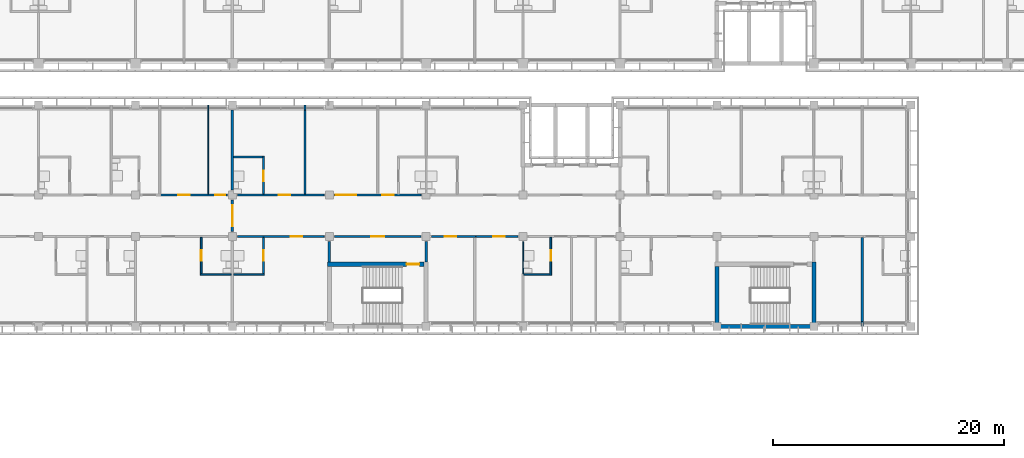
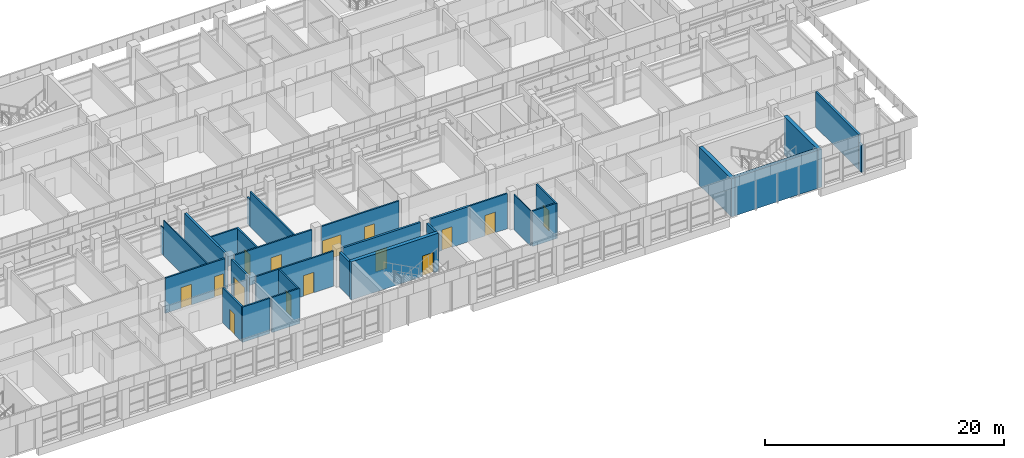
# One storey, part 35 of 74: 30 walls, 15 doors, 15 openings.
"""IFC4 building model written with IfcOpenShell, lengths in metres."""

from ifc_helpers import new_model, si_unit, direction, frame, frame_2d, origin, place, context, subcontext, project, spatial, rectangle, extrude, material, layer, layer_set, type_object, element, fill, save


model = new_model("IFC4")

# Units and contexts
model_context = context("Model", 3, precision=1e-05, world=origin(), true_north=direction((0.0, 1.0)))
body_context = subcontext(model_context, "Body", "Model", "MODEL_VIEW")
ifc_project = project(units=[si_unit("LENGTHUNIT", "METRE"), si_unit("AREAUNIT", "SQUARE_METRE"), si_unit("VOLUMEUNIT", "CUBIC_METRE"), si_unit("PLANEANGLEUNIT", "RADIAN"), si_unit("MASSUNIT", "GRAM", prefix="KILO")], contexts=[model_context])

# Site, building, storey
site_placement = place(None, origin())
site = spatial("IfcSite", under=ifc_project, at=site_placement, CompositionType="ELEMENT")
building_placement = place(site_placement, origin())
building = spatial("IfcBuilding", under=site, at=building_placement, Name="Bougainvillea Quay General Hospital", CompositionType="ELEMENT")
storey_placement = place(building_placement, frame((0.0, 0.0, 21.0)))
storey = spatial("IfcBuildingStorey", under=building, at=storey_placement, Name="L04", CompositionType="ELEMENT", Elevation=21.0)

# Walls
ifc_material_1 = material(Name="Gypsum board partition on steel studs", Category="steel")
ifc_layer_1 = layer(ifc_material_1, 0.10009765625)
ifc_layer_set_1 = layer_set([ifc_layer_1], Name="Gypsum board partition on steel studs")
wall_type_1 = type_object("IfcWallType", Name="Partition 100 Gypsum board partition", PredefinedType="PARTITIONING", material=ifc_layer_set_1)
wall_1_placement = place(storey_placement, frame((107.10009765625, 129.074951171875, 0.0), z_axis=(0.0, 0.0, 1.0), x_axis=(0.0, 1.0, 0.0)))
element("IfcWall", 1, at=wall_1_placement, inside=storey, type_object=wall_type_1, Name="Partition 100 mm", PredefinedType="PARTITIONING", context=body_context, shape_type="SweptSolid", body=[
    extrude(rectangle(XDim=7.275146484375, YDim=0.10009765625, at=frame_2d((3.6376953125, 0.0))), origin(), (0.0, 0.0, 1.0), 3.60009765625),
])
wall_2_placement = place(storey_placement, frame((107.10009765625, 136.35009765625, 0.0), z_axis=(0.0, 0.0, 1.0), x_axis=(0.0, 1.0, 0.0)))
element("IfcWall", 2, at=wall_2_placement, inside=storey, type_object=wall_type_1, Name="Partition 100 mm", PredefinedType="PARTITIONING", context=body_context, shape_type="SweptSolid", body=[
    extrude(rectangle(XDim=0.449951171875, YDim=0.10009765625, at=frame_2d((0.22509765625, 0.0))), origin(), (0.0, 0.0, 1.0), 2.780029296875),
])
wall_3_placement = place(storey_placement, frame((134.39990234375, 122.175048828125, 0.0), z_axis=(0.0, 0.0, 1.0), x_axis=(0.0, 1.0, 0.0)))
element("IfcWall", 3, at=wall_3_placement, inside=storey, type_object=wall_type_1, Name="Partition 100 mm", PredefinedType="PARTITIONING", context=body_context, shape_type="SweptSolid", body=[
    extrude(rectangle(XDim=2.77490234375, YDim=0.10009765625, at=frame_2d((1.387451171875, 0.0))), origin(), (0.0, 0.0, 1.0), 3.60009765625),
])
ifc_material_2 = material(Name="Gypsum board partition on steel studs, insulated", Category="steel")
ifc_layer_2 = layer(ifc_material_2, 0.14990234375)
ifc_layer_set_2 = layer_set([ifc_layer_2], Name="Gypsum board partition on steel studs, insulated")
wall_type_2 = type_object("IfcWallType", Name="Partition 150 Gypsum board partition", PredefinedType="PARTITIONING", material=ifc_layer_set_2)
wall_4_placement = place(storey_placement, frame((115.5, 129.074951171875, 0.0), z_axis=(0.0, 0.0, 1.0), x_axis=(0.0, 1.0, 0.0)))
element("IfcWall", 4, at=wall_4_placement, inside=storey, type_object=wall_type_2, Name="Partition 150 mm", PredefinedType="PARTITIONING", context=body_context, shape_type="SweptSolid", body=[
    extrude(rectangle(XDim=7.275146484375, YDim=0.14990234375, at=frame_2d((3.6376953125, 0.0))), origin(), (0.0, 0.0, 1.0), 3.60009765625),
])
wall_5_placement = place(storey_placement, frame((115.5, 136.35009765625, 0.0), z_axis=(0.0, 0.0, 1.0), x_axis=(0.0, 1.0, 0.0)))
element("IfcWall", 5, at=wall_5_placement, inside=storey, type_object=wall_type_2, Name="Partition 150 mm", PredefinedType="PARTITIONING", context=body_context, shape_type="SweptSolid", body=[
    extrude(rectangle(XDim=0.449951171875, YDim=0.14990234375, at=frame_2d((0.22509765625, 0.0))), origin(), (0.0, 0.0, 1.0), 2.780029296875),
])
for number, where, z_axis, x_axis, name in (
    (6, (106.425048828125, 122.10009765625, 0.0), (0.0, 0.0, 1.0), (1.0, 0.0, 0.0), "Partition 150 mm"),
    (7, (109.300048828125, 122.10009765625, 0.0), (0.0, 0.0, 1.0), (1.0, 0.0, 0.0), "Partition 150 mm"),
):
    element("IfcWall", number, at=place(storey_placement, frame(where, z_axis=z_axis, x_axis=x_axis)), inside=storey, type_object=wall_type_2, Name=name, PredefinedType="PARTITIONING", context=body_context, shape_type="SweptSolid", body=[
        extrude(rectangle(XDim=2.675048828125, YDim=0.14990234375, at=frame_2d((1.33740234375, 0.0))), origin(), (0.0, 0.0, 1.0), 3.60009765625),
    ])

# Wall, opening, door
wall_6_placement = place(storey_placement, frame((106.5, 122.175048828125, 0.0), z_axis=(0.0, 0.0, 1.0), x_axis=(0.0, 1.0, 0.0)))
wall_6 = element("IfcWall", 8, at=wall_6_placement, inside=storey, type_object=wall_type_2, Name="Partition 150 mm", PredefinedType="PARTITIONING", context=body_context, shape_type="SweptSolid", body=[
    extrude(rectangle(XDim=3.14990234375, YDim=0.14990234375, at=frame_2d((1.574951171875, 0.0))), origin(), (0.0, 0.0, 1.0), 3.60009765625),
])
opening_1_placement = place(wall_6_placement, frame((1.125, 0.0, 0.0)))
opening_1 = element("IfcOpeningElement", 9, at=opening_1_placement, cuts=wall_6, Name="Opening L04.107", PredefinedType="OPENING", context=body_context, shape_type="SweptSolid", body=[
    extrude(rectangle(XDim=0.89990234375, YDim=2.10009765625, at=frame_2d((0.449951171875, 1.050048828125))), frame((0.0, 0.0849609375, 0.0), z_axis=(0.0, -1.0, 0.0), x_axis=(1.0, 0.0, 0.0)), (0.0, 0.0, 1.0), 0.169921875),
])
ifc_material_3 = material(Name="Solid-core timber door leaf in steel frame", Category="steel")
door_type_1 = type_object("IfcDoorType", Name="Single leaf door 900x2100", OperationType="NOTDEFINED", PredefinedType="DOOR", material=ifc_material_3)
door_1_placement = place(opening_1_placement, frame((0.89990234375, 0.0, 0.0), z_axis=(0.0, 0.0, 1.0), x_axis=(-1.0, 0.0, 0.0)))
door_1 = element("IfcDoor", 10, at=door_1_placement, inside=storey, type_object=door_type_1, Name="DT07 L04.107", OperationType="SINGLE_SWING_LEFT", OverallHeight=2.10009765625, OverallWidth=0.89990234375, PredefinedType="DOOR", context=body_context, shape_type="SweptSolid", body=[
    extrude(rectangle(XDim=0.89990234375, YDim=2.10009765625, at=frame_2d((0.449951171875, 1.050048828125))), frame((0.0, 0.02490234375, 0.0), z_axis=(0.0, -1.0, 0.0), x_axis=(1.0, 0.0, 0.0)), (0.0, 0.0, 1.0), 0.050048828125),
])
fill(opening_1, door_1)

wall_7_placement = place(storey_placement, frame((111.89990234375, 122.175048828125, 0.0), z_axis=(0.0, 0.0, 1.0), x_axis=(0.0, 1.0, 0.0)))
wall_7 = element("IfcWall", 11, at=wall_7_placement, inside=storey, type_object=wall_type_2, Name="Partition 150 mm", PredefinedType="PARTITIONING", context=body_context, shape_type="SweptSolid", body=[
    extrude(rectangle(XDim=3.14990234375, YDim=0.14990234375, at=frame_2d((1.574951171875, 0.0))), origin(), (0.0, 0.0, 1.0), 3.60009765625),
])
opening_2_placement = place(wall_7_placement, frame((1.125, 0.0, 0.0)))
opening_2 = element("IfcOpeningElement", 12, at=opening_2_placement, cuts=wall_7, Name="Opening L04.109", PredefinedType="OPENING", context=body_context, shape_type="SweptSolid", body=[
    extrude(rectangle(XDim=0.89990234375, YDim=2.10009765625, at=frame_2d((0.449951171875, 1.050048828125))), frame((0.0, 0.0849609375, 0.0), z_axis=(0.0, -1.0, 0.0), x_axis=(1.0, 0.0, 0.0)), (0.0, 0.0, 1.0), 0.169921875),
])
door_2_placement = place(opening_2_placement, origin())
door_2 = element("IfcDoor", 13, at=door_2_placement, inside=storey, type_object=door_type_1, Name="DT07 L04.109", OperationType="SINGLE_SWING_RIGHT", OverallHeight=2.10009765625, OverallWidth=0.89990234375, PredefinedType="DOOR", context=body_context, shape_type="SweptSolid", body=[
    extrude(rectangle(XDim=0.89990234375, YDim=2.10009765625, at=frame_2d((0.449951171875, 1.050048828125))), frame((0.0, 0.02490234375, 0.0), z_axis=(0.0, -1.0, 0.0), x_axis=(1.0, 0.0, 0.0)), (0.0, 0.0, 1.0), 0.050048828125),
])
fill(opening_2, door_2)

wall_8_placement = place(storey_placement, frame((111.89990234375, 129.074951171875, 0.0), z_axis=(0.0, 0.0, 1.0), x_axis=(0.0, 1.0, 0.0)))
wall_8 = element("IfcWall", 14, at=wall_8_placement, inside=storey, type_object=wall_type_2, Name="Partition 150 mm", PredefinedType="PARTITIONING", context=body_context, shape_type="SweptSolid", body=[
    extrude(rectangle(XDim=3.300048828125, YDim=0.14990234375, at=frame_2d((1.64990234375, 0.0))), origin(), (0.0, 0.0, 1.0), 3.60009765625),
])
opening_3_placement = place(wall_8_placement, frame((1.125, 0.0, 0.0)))
opening_3 = element("IfcOpeningElement", 15, at=opening_3_placement, cuts=wall_8, Name="Opening L04.111", PredefinedType="OPENING", context=body_context, shape_type="SweptSolid", body=[
    extrude(rectangle(XDim=0.89990234375, YDim=2.10009765625, at=frame_2d((0.449951171875, 1.050048828125))), frame((0.0, 0.0849609375, 0.0), z_axis=(0.0, -1.0, 0.0), x_axis=(1.0, 0.0, 0.0)), (0.0, 0.0, 1.0), 0.169921875),
])
door_3_placement = place(opening_3_placement, origin())
door_3 = element("IfcDoor", 16, at=door_3_placement, inside=storey, type_object=door_type_1, Name="DT07 L04.111", OperationType="SINGLE_SWING_LEFT", OverallHeight=2.10009765625, OverallWidth=0.89990234375, PredefinedType="DOOR", context=body_context, shape_type="SweptSolid", body=[
    extrude(rectangle(XDim=0.89990234375, YDim=2.10009765625, at=frame_2d((0.449951171875, 1.050048828125))), frame((0.0, 0.02490234375, 0.0), z_axis=(0.0, -1.0, 0.0), x_axis=(1.0, 0.0, 0.0)), (0.0, 0.0, 1.0), 0.050048828125),
])
fill(opening_3, door_3)

wall_9_placement = place(storey_placement, frame((136.800048828125, 122.02490234375, 0.0), z_axis=(0.0, 0.0, 1.0), x_axis=(0.0, 1.0, 0.0)))
wall_9 = element("IfcWall", 17, at=wall_9_placement, inside=storey, type_object=wall_type_2, Name="Partition 150 mm", PredefinedType="PARTITIONING", context=body_context, shape_type="SweptSolid", body=[
    extrude(rectangle(XDim=3.300048828125, YDim=0.14990234375, at=frame_2d((1.64990234375, 0.0))), origin(), (0.0, 0.0, 1.0), 3.60009765625),
])
opening_4_placement = place(wall_9_placement, frame((1.27490234375, 0.0, 0.0)))
opening_4 = element("IfcOpeningElement", 18, at=opening_4_placement, cuts=wall_9, Name="Opening L04.119", PredefinedType="OPENING", context=body_context, shape_type="SweptSolid", body=[
    extrude(rectangle(XDim=0.89990234375, YDim=2.10009765625, at=frame_2d((0.449951171875, 1.050048828125))), frame((0.0, 0.0849609375, 0.0), z_axis=(0.0, -1.0, 0.0), x_axis=(1.0, 0.0, 0.0)), (0.0, 0.0, 1.0), 0.169921875),
])
door_4_placement = place(opening_4_placement, origin())
door_4 = element("IfcDoor", 19, at=door_4_placement, inside=storey, type_object=door_type_1, Name="DT07 L04.119", OperationType="SINGLE_SWING_RIGHT", OverallHeight=2.10009765625, OverallWidth=0.89990234375, PredefinedType="DOOR", context=body_context, shape_type="SweptSolid", body=[
    extrude(rectangle(XDim=0.89990234375, YDim=2.10009765625, at=frame_2d((0.449951171875, 1.050048828125))), frame((0.0, 0.02490234375, 0.0), z_axis=(0.0, -1.0, 0.0), x_axis=(1.0, 0.0, 0.0)), (0.0, 0.0, 1.0), 0.050048828125),
])
fill(opening_4, door_4)

# Walls
wall_10_placement = place(storey_placement, frame((109.300048828125, 132.300048828125, 0.0), z_axis=(0.0, 0.0, 1.0), x_axis=(1.0, 0.0, 0.0)))
element("IfcWall", 20, at=wall_10_placement, inside=storey, type_object=wall_type_2, Name="Partition 150 mm", PredefinedType="PARTITIONING", context=body_context, shape_type="SweptSolid", body=[
    extrude(rectangle(XDim=2.52490234375, YDim=0.14990234375, at=frame_2d((1.262451171875, 0.0))), origin(), (0.0, 0.0, 1.0), 3.60009765625),
])
wall_11_placement = place(storey_placement, frame((134.47509765625, 122.10009765625, 0.0), z_axis=(0.0, 0.0, 1.0), x_axis=(1.0, 0.0, 0.0)))
element("IfcWall", 21, at=wall_11_placement, inside=storey, type_object=wall_type_2, Name="Partition 150 mm", PredefinedType="PARTITIONING", context=body_context, shape_type="SweptSolid", body=[
    extrude(rectangle(XDim=2.25, YDim=0.14990234375, at=frame_2d((1.125, 0.0))), origin(), (0.0, 0.0, 1.0), 3.60009765625),
])

# Wall, opening, door
ifc_layer_3 = layer(ifc_material_2, 0.14990234375)
ifc_layer_set_3 = layer_set([ifc_layer_3], Name="Gypsum board partition on steel studs, insulated")
wall_type_3 = type_object("IfcWallType", Name="Partition 150 Gypsum board partition EI 30", PredefinedType="PARTITIONING", material=ifc_layer_set_3)
wall_12_placement = place(storey_placement, frame((117.14990234375, 125.39990234375, 0.0), z_axis=(0.0, 0.0, 1.0), x_axis=(-1.0, 0.0, 0.0)))
wall_12 = element("IfcWall", 22, at=wall_12_placement, inside=storey, type_object=wall_type_3, Name="Partition 150 mm EI 30", PredefinedType="PARTITIONING", context=body_context, shape_type="SweptSolid", body=[
    extrude(rectangle(XDim=7.5, YDim=0.14990234375, at=frame_2d((3.75, 0.0))), origin(), (0.0, 0.0, 1.0), 3.60009765625),
])
opening_5_placement = place(wall_12_placement, frame((1.89990234375, 0.0, 0.0)))
opening_5 = element("IfcOpeningElement", 23, at=opening_5_placement, cuts=wall_12, Name="Opening L04.108", PredefinedType="OPENING", context=body_context, shape_type="SweptSolid", body=[
    extrude(rectangle(XDim=1.0, YDim=2.10009765625, at=frame_2d((0.5, 1.050048828125))), frame((0.0, 0.0849609375, 0.0), z_axis=(0.0, -1.0, 0.0), x_axis=(1.0, 0.0, 0.0)), (0.0, 0.0, 1.0), 0.169921875),
])
door_type_2 = type_object("IfcDoorType", Name="Single leaf door 1000x2100 FD30S", OperationType="NOTDEFINED", PredefinedType="DOOR", material=ifc_material_3)
door_5_placement = place(opening_5_placement, origin())
door_5 = element("IfcDoor", 24, at=door_5_placement, inside=storey, type_object=door_type_2, Name="DT15 L04.108", OperationType="SINGLE_SWING_LEFT", OverallHeight=2.10009765625, OverallWidth=1.0, PredefinedType="DOOR", context=body_context, shape_type="SweptSolid", body=[
    extrude(rectangle(XDim=1.0, YDim=2.10009765625, at=frame_2d((0.5, 1.050048828125))), frame((0.0, 0.02490234375, 0.0), z_axis=(0.0, -1.0, 0.0), x_axis=(1.0, 0.0, 0.0)), (0.0, 0.0, 1.0), 0.050048828125),
])
fill(opening_5, door_5)

# Wall, openings, doors
wall_13_placement = place(storey_placement, frame((125.550048828125, 129.0, 0.0), z_axis=(0.0, 0.0, 1.0), x_axis=(-1.0, 0.0, 0.0)))
wall_13 = element("IfcWall", 25, at=wall_13_placement, inside=storey, type_object=wall_type_3, Name="Partition 150 mm EI 30", PredefinedType="PARTITIONING", context=body_context, shape_type="SweptSolid", body=[
    extrude(rectangle(XDim=7.5, YDim=0.14990234375, at=frame_2d((3.75, 0.0))), origin(), (0.0, 0.0, 1.0), 3.60009765625),
])
opening_6_placement = place(wall_13_placement, frame((5.60009765625, 0.0, 0.0)))
opening_6 = element("IfcOpeningElement", 26, at=opening_6_placement, cuts=wall_13, Name="Opening L04.112", PredefinedType="OPENING", context=body_context, shape_type="SweptSolid", body=[
    extrude(rectangle(XDim=1.800048828125, YDim=2.10009765625, at=frame_2d((0.89990234375, 1.050048828125))), frame((0.0, 0.0849609375, 0.0), z_axis=(0.0, -1.0, 0.0), x_axis=(1.0, 0.0, 0.0)), (0.0, 0.0, 1.0), 0.169921875),
])
opening_7_placement = place(wall_13_placement, frame((2.35009765625, 0.0, 0.0)))
opening_7 = element("IfcOpeningElement", 27, at=opening_7_placement, cuts=wall_13, Name="Opening L04.113", PredefinedType="OPENING", context=body_context, shape_type="SweptSolid", body=[
    extrude(rectangle(XDim=1.0, YDim=2.10009765625, at=frame_2d((0.5, 1.050048828125))), frame((0.0, 0.0849609375, 0.0), z_axis=(0.0, -1.0, 0.0), x_axis=(1.0, 0.0, 0.0)), (0.0, 0.0, 1.0), 0.169921875),
])
ifc_material_4 = material(Name="Solid-core timber door leaves in steel frame", Category="steel")
door_type_3 = type_object("IfcDoorType", Name="Double leaf door 1800x2100 FD30S", OperationType="DOUBLE_DOOR_SINGLE_SWING", PredefinedType="DOOR", material=ifc_material_4)
door_6_placement = place(opening_6_placement, frame((1.800048828125, 0.0, 0.0), z_axis=(0.0, 0.0, 1.0), x_axis=(-1.0, 0.0, 0.0)))
door_6 = element("IfcDoor", 28, at=door_6_placement, inside=storey, type_object=door_type_3, Name="DT17 L04.112", OperationType="DOUBLE_DOOR_SINGLE_SWING", OverallHeight=2.10009765625, OverallWidth=1.800048828125, PredefinedType="DOOR", context=body_context, shape_type="SweptSolid", body=[
    extrude(rectangle(XDim=1.800048828125, YDim=2.10009765625, at=frame_2d((0.89990234375, 1.050048828125))), frame((0.0, 0.02490234375, 0.0), z_axis=(0.0, -1.0, 0.0), x_axis=(1.0, 0.0, 0.0)), (0.0, 0.0, 1.0), 0.050048828125),
])
fill(opening_6, door_6)
door_7_placement = place(opening_7_placement, frame((1.0, 0.0, 0.0), z_axis=(0.0, 0.0, 1.0), x_axis=(-1.0, 0.0, 0.0)))
door_7 = element("IfcDoor", 29, at=door_7_placement, inside=storey, type_object=door_type_2, Name="DT15 L04.113", OperationType="SINGLE_SWING_RIGHT", OverallHeight=2.10009765625, OverallWidth=1.0, PredefinedType="DOOR", context=body_context, shape_type="SweptSolid", body=[
    extrude(rectangle(XDim=1.0, YDim=2.10009765625, at=frame_2d((0.5, 1.050048828125))), frame((0.0, 0.02490234375, 0.0), z_axis=(0.0, -1.0, 0.0), x_axis=(1.0, 0.0, 0.0)), (0.0, 0.0, 1.0), 0.050048828125),
])
fill(opening_7, door_7)

# Wall, opening, door
wall_14_placement = place(storey_placement, frame((117.14990234375, 129.0, 0.0), z_axis=(0.0, 0.0, 1.0), x_axis=(-1.0, 0.0, 0.0)))
wall_14 = element("IfcWall", 30, at=wall_14_placement, inside=storey, type_object=wall_type_3, Name="Partition 150 mm EI 30", PredefinedType="PARTITIONING", context=body_context, shape_type="SweptSolid", body=[
    extrude(rectangle(XDim=7.5, YDim=0.14990234375, at=frame_2d((3.75, 0.0))), origin(), (0.0, 0.0, 1.0), 3.60009765625),
])
opening_8_placement = place(wall_14_placement, frame((2.949951171875, 0.0, 0.0)))
opening_8 = element("IfcOpeningElement", 31, at=opening_8_placement, cuts=wall_14, Name="Opening L04.110", PredefinedType="OPENING", context=body_context, shape_type="SweptSolid", body=[
    extrude(rectangle(XDim=1.0, YDim=2.10009765625, at=frame_2d((0.5, 1.050048828125))), frame((0.0, 0.0849609375, 0.0), z_axis=(0.0, -1.0, 0.0), x_axis=(1.0, 0.0, 0.0)), (0.0, 0.0, 1.0), 0.169921875),
])
door_8_placement = place(opening_8_placement, frame((1.0, 0.0, 0.0), z_axis=(0.0, 0.0, 1.0), x_axis=(-1.0, 0.0, 0.0)))
door_8 = element("IfcDoor", 32, at=door_8_placement, inside=storey, type_object=door_type_2, Name="DT15 L04.110", OperationType="SINGLE_SWING_RIGHT", OverallHeight=2.10009765625, OverallWidth=1.0, PredefinedType="DOOR", context=body_context, shape_type="SweptSolid", body=[
    extrude(rectangle(XDim=1.0, YDim=2.10009765625, at=frame_2d((0.5, 1.050048828125))), frame((0.0, 0.02490234375, 0.0), z_axis=(0.0, -1.0, 0.0), x_axis=(1.0, 0.0, 0.0)), (0.0, 0.0, 1.0), 0.050048828125),
])
fill(opening_8, door_8)

# Wall, openings, doors
ifc_layer_4 = layer(ifc_material_2, 0.14990234375)
ifc_layer_set_4 = layer_set([ifc_layer_4], Name="Gypsum board partition on steel studs, insulated")
wall_type_4 = type_object("IfcWallType", Name="Partition 150 Gypsum board partition EI 60", PredefinedType="PARTITIONING", material=ifc_layer_set_4)
wall_15_placement = place(storey_placement, frame((102.97509765625, 129.0, 0.0), z_axis=(0.0, 0.0, 1.0), x_axis=(1.0, 0.0, 0.0)))
wall_15 = element("IfcWall", 33, at=wall_15_placement, inside=storey, type_object=wall_type_4, Name="Partition 150 mm EI 60", PredefinedType="PARTITIONING", context=body_context, shape_type="SweptSolid", body=[
    extrude(rectangle(XDim=5.77490234375, YDim=0.14990234375, at=frame_2d((2.887451171875, 0.0))), origin(), (0.0, 0.0, 1.0), 3.60009765625),
])
opening_9_placement = place(wall_15_placement, frame((1.52490234375, 0.0, 0.0)))
opening_9 = element("IfcOpeningElement", 34, at=opening_9_placement, cuts=wall_15, Name="Opening L04.100", PredefinedType="OPENING", context=body_context, shape_type="SweptSolid", body=[
    extrude(rectangle(XDim=1.0, YDim=2.10009765625, at=frame_2d((0.5, 1.050048828125))), frame((0.0, 0.0849609375, 0.0), z_axis=(0.0, -1.0, 0.0), x_axis=(1.0, 0.0, 0.0)), (0.0, 0.0, 1.0), 0.169921875),
])
opening_10_placement = place(wall_15_placement, frame((4.72509765625, 0.0, 0.0)))
opening_10 = element("IfcOpeningElement", 35, at=opening_10_placement, cuts=wall_15, Name="Opening L04.101", PredefinedType="OPENING", context=body_context, shape_type="SweptSolid", body=[
    extrude(rectangle(XDim=0.89990234375, YDim=2.10009765625, at=frame_2d((0.449951171875, 1.050048828125))), frame((0.0, 0.0849609375, 0.0), z_axis=(0.0, -1.0, 0.0), x_axis=(1.0, 0.0, 0.0)), (0.0, 0.0, 1.0), 0.169921875),
])
door_type_4 = type_object("IfcDoorType", Name="Single leaf door 1000x2100 FD60", OperationType="NOTDEFINED", PredefinedType="DOOR", material=ifc_material_3)
door_9_placement = place(opening_9_placement, origin())
door_9 = element("IfcDoor", 36, at=door_9_placement, inside=storey, type_object=door_type_4, Name="DT14 L04.100", OperationType="SINGLE_SWING_LEFT", OverallHeight=2.10009765625, OverallWidth=1.0, PredefinedType="DOOR", context=body_context, shape_type="SweptSolid", body=[
    extrude(rectangle(XDim=1.0, YDim=2.10009765625, at=frame_2d((0.5, 1.050048828125))), frame((0.0, 0.02490234375, 0.0), z_axis=(0.0, -1.0, 0.0), x_axis=(1.0, 0.0, 0.0)), (0.0, 0.0, 1.0), 0.050048828125),
])
fill(opening_9, door_9)
door_type_5 = type_object("IfcDoorType", Name="Single leaf door 900x2100 FD60", OperationType="NOTDEFINED", PredefinedType="DOOR", material=ifc_material_3)
door_10_placement = place(opening_10_placement, origin())
door_10 = element("IfcDoor", 37, at=door_10_placement, inside=storey, type_object=door_type_5, Name="DT18 L04.101", OperationType="SINGLE_SWING_RIGHT", OverallHeight=2.10009765625, OverallWidth=0.89990234375, PredefinedType="DOOR", context=body_context, shape_type="SweptSolid", body=[
    extrude(rectangle(XDim=0.89990234375, YDim=2.10009765625, at=frame_2d((0.449951171875, 1.050048828125))), frame((0.0, 0.02490234375, 0.0), z_axis=(0.0, -1.0, 0.0), x_axis=(1.0, 0.0, 0.0)), (0.0, 0.0, 1.0), 0.050048828125),
])
fill(opening_10, door_10)

# Wall, opening, door
wall_16_placement = place(storey_placement, frame((130.300048828125, 125.39990234375, 0.0), z_axis=(0.0, 0.0, 1.0), x_axis=(1.0, 0.0, 0.0)))
wall_16 = element("IfcWall", 38, at=wall_16_placement, inside=storey, type_object=wall_type_4, Name="Partition 150 mm EI 60", PredefinedType="PARTITIONING", context=body_context, shape_type="SweptSolid", body=[
    extrude(rectangle(XDim=3.64990234375, YDim=0.14990234375, at=frame_2d((1.824951171875, 0.0))), origin(), (0.0, 0.0, 1.0), 3.60009765625),
])
opening_11_placement = place(wall_16_placement, frame((1.5, 0.0, 0.0)))
opening_11 = element("IfcOpeningElement", 39, at=opening_11_placement, cuts=wall_16, Name="Opening L04.117", PredefinedType="OPENING", context=body_context, shape_type="SweptSolid", body=[
    extrude(rectangle(XDim=1.0, YDim=2.10009765625, at=frame_2d((0.5, 1.050048828125))), frame((0.0, 0.0849609375, 0.0), z_axis=(0.0, -1.0, 0.0), x_axis=(1.0, 0.0, 0.0)), (0.0, 0.0, 1.0), 0.169921875),
])
door_11_placement = place(opening_11_placement, frame((1.0, 0.0, 0.0), z_axis=(0.0, 0.0, 1.0), x_axis=(-1.0, 0.0, 0.0)))
door_11 = element("IfcDoor", 40, at=door_11_placement, inside=storey, type_object=door_type_4, Name="DT14 L04.117", OperationType="SINGLE_SWING_LEFT", OverallHeight=2.10009765625, OverallWidth=1.0, PredefinedType="DOOR", context=body_context, shape_type="SweptSolid", body=[
    extrude(rectangle(XDim=1.0, YDim=2.10009765625, at=frame_2d((0.5, 1.050048828125))), frame((0.0, 0.02490234375, 0.0), z_axis=(0.0, -1.0, 0.0), x_axis=(1.0, 0.0, 0.0)), (0.0, 0.0, 1.0), 0.050048828125),
])
fill(opening_11, door_11)

# Wall
ifc_material_5 = material(Name="Fire-rated autoclaved aerated block wall, plastered")
ifc_layer_5 = layer(ifc_material_5, 0.199951171875)
ifc_layer_set_5 = layer_set([ifc_layer_5], Name="Fire-rated autoclaved aerated block wall, plastered")
wall_type_5 = type_object("IfcWallType", Name="Partition 200 Fire-rated autoclaved aerated block wall EI 120", PredefinedType="SOLIDWALL", material=ifc_layer_set_5)
wall_17_placement = place(storey_placement, frame((109.199951171875, 136.35009765625, 0.0), z_axis=(0.0, 0.0, 1.0), x_axis=(0.0, -1.0, 0.0)))
element("IfcWall", 41, at=wall_17_placement, inside=storey, type_object=wall_type_5, Name="Partition 200 mm EI 120", PredefinedType="SOLIDWALL", context=body_context, shape_type="SweptSolid", body=[
    extrude(rectangle(XDim=6.900146484375, YDim=0.199951171875, at=frame_2d((3.4501953125, 0.0))), origin(), (0.0, 0.0, 1.0), 3.60009765625),
])

# Wall, opening, door
wall_18_placement = place(storey_placement, frame((109.199951171875, 128.550048828125, 0.0), z_axis=(0.0, 0.0, 1.0), x_axis=(0.0, -1.0, 0.0)))
wall_18 = element("IfcWall", 42, at=wall_18_placement, inside=storey, type_object=wall_type_5, Name="Partition 200 mm EI 120", PredefinedType="SOLIDWALL", context=body_context, shape_type="SweptSolid", body=[
    extrude(rectangle(XDim=2.699951171875, YDim=0.199951171875, at=frame_2d((1.35009765625, 0.0))), origin(), (0.0, 0.0, 1.0), 3.60009765625),
])
opening_12_placement = place(wall_18_placement, frame((0.449951171875, 0.0, 0.0)))
opening_12 = element("IfcOpeningElement", 43, at=opening_12_placement, cuts=wall_18, Name="Opening L04.076", PredefinedType="OPENING", context=body_context, shape_type="SweptSolid", body=[
    extrude(rectangle(XDim=1.800048828125, YDim=2.10009765625, at=frame_2d((0.89990234375, 1.050048828125))), frame((0.0, 0.10986328125, 0.0), z_axis=(0.0, -1.0, 0.0), x_axis=(1.0, 0.0, 0.0)), (0.0, 0.0, 1.0), 0.219970703125),
])
ifc_material_6 = material(Name="Steel fire door leaves in steel frame", Category="steel")
door_type_6 = type_object("IfcDoorType", Name="Steel double leaf door 1800x2100 FD90", OperationType="DOUBLE_DOOR_SINGLE_SWING", PredefinedType="DOOR", material=ifc_material_6)
door_12_placement = place(opening_12_placement, origin())
door_12 = element("IfcDoor", 44, at=door_12_placement, inside=storey, type_object=door_type_6, Name="DT03 L04.076", OperationType="DOUBLE_DOOR_SINGLE_SWING", OverallHeight=2.10009765625, OverallWidth=1.800048828125, PredefinedType="DOOR", context=body_context, shape_type="SweptSolid", body=[
    extrude(rectangle(XDim=1.800048828125, YDim=2.10009765625, at=frame_2d((0.89990234375, 1.050048828125))), frame((0.0, 0.02490234375, 0.0), z_axis=(0.0, -1.0, 0.0), x_axis=(1.0, 0.0, 0.0)), (0.0, 0.0, 1.0), 0.050048828125),
])
fill(opening_12, door_12)

wall_19_placement = place(storey_placement, frame((118.050048828125, 125.39990234375, 0.0), z_axis=(0.0, 0.0, 1.0), x_axis=(1.0, 0.0, 0.0)))
wall_19 = element("IfcWall", 45, at=wall_19_placement, inside=storey, type_object=wall_type_5, Name="Partition 200 mm EI 120", PredefinedType="SOLIDWALL", context=body_context, shape_type="SweptSolid", body=[
    extrude(rectangle(XDim=7.5, YDim=0.199951171875, at=frame_2d((3.75, 0.0))), origin(), (0.0, 0.0, 1.0), 3.60009765625),
])
opening_13_placement = place(wall_19_placement, frame((3.199951171875, 0.0, 0.0)))
opening_13 = element("IfcOpeningElement", 46, at=opening_13_placement, cuts=wall_19, Name="Opening L04.154", PredefinedType="OPENING", context=body_context, shape_type="SweptSolid", body=[
    extrude(rectangle(XDim=1.10009765625, YDim=2.10009765625, at=frame_2d((0.550048828125, 1.050048828125))), frame((0.0, 0.10986328125, 0.0), z_axis=(0.0, -1.0, 0.0), x_axis=(1.0, 0.0, 0.0)), (0.0, 0.0, 1.0), 0.219970703125),
])
ifc_material_7 = material(Name="Steel fire door leaf in steel frame", Category="steel")
door_type_7 = type_object("IfcDoorType", Name="Steel single leaf door 1100x2100 FD60", OperationType="NOTDEFINED", PredefinedType="DOOR", material=ifc_material_7)
door_13_placement = place(opening_13_placement, frame((1.10009765625, 0.0, 0.0), z_axis=(0.0, 0.0, 1.0), x_axis=(-1.0, 0.0, 0.0)))
door_13 = element("IfcDoor", 47, at=door_13_placement, inside=storey, type_object=door_type_7, Name="DT04 L04.154", OperationType="SINGLE_SWING_LEFT", OverallHeight=2.10009765625, OverallWidth=1.10009765625, PredefinedType="DOOR", context=body_context, shape_type="SweptSolid", body=[
    extrude(rectangle(XDim=1.10009765625, YDim=2.10009765625, at=frame_2d((0.550048828125, 1.050048828125))), frame((0.0, 0.02490234375, 0.0), z_axis=(0.0, -1.0, 0.0), x_axis=(1.0, 0.0, 0.0)), (0.0, 0.0, 1.0), 0.050048828125),
])
fill(opening_13, door_13)

wall_20_placement = place(storey_placement, frame((126.449951171875, 125.39990234375, 0.0), z_axis=(0.0, 0.0, 1.0), x_axis=(1.0, 0.0, 0.0)))
wall_20 = element("IfcWall", 48, at=wall_20_placement, inside=storey, type_object=wall_type_5, Name="Partition 200 mm EI 120", PredefinedType="SOLIDWALL", context=body_context, shape_type="SweptSolid", body=[
    extrude(rectangle(XDim=3.85009765625, YDim=0.199951171875, at=frame_2d((1.925048828125, 0.0))), origin(), (0.0, 0.0, 1.0), 3.60009765625),
])
opening_14_placement = place(wall_20_placement, frame((1.14990234375, 0.0, 0.0)))
opening_14 = element("IfcOpeningElement", 49, at=opening_14_placement, cuts=wall_20, Name="Opening L04.137", PredefinedType="OPENING", context=body_context, shape_type="SweptSolid", body=[
    extrude(rectangle(XDim=1.0, YDim=2.10009765625, at=frame_2d((0.5, 1.050048828125))), frame((0.0, 0.10986328125, 0.0), z_axis=(0.0, -1.0, 0.0), x_axis=(1.0, 0.0, 0.0)), (0.0, 0.0, 1.0), 0.219970703125),
])
door_type_8 = type_object("IfcDoorType", Name="Steel single leaf door 1000x2100 FD90", OperationType="NOTDEFINED", PredefinedType="DOOR", material=ifc_material_7)
door_14_placement = place(opening_14_placement, frame((1.0, 0.0, 0.0), z_axis=(0.0, 0.0, 1.0), x_axis=(-1.0, 0.0, 0.0)))
door_14 = element("IfcDoor", 50, at=door_14_placement, inside=storey, type_object=door_type_8, Name="DT11 L04.137", OperationType="SINGLE_SWING_RIGHT", OverallHeight=2.10009765625, OverallWidth=1.0, PredefinedType="DOOR", context=body_context, shape_type="SweptSolid", body=[
    extrude(rectangle(XDim=1.0, YDim=2.10009765625, at=frame_2d((0.5, 1.050048828125))), frame((0.0, 0.02490234375, 0.0), z_axis=(0.0, -1.0, 0.0), x_axis=(1.0, 0.0, 0.0)), (0.0, 0.0, 1.0), 0.050048828125),
])
fill(opening_14, door_14)

# Walls
wall_21_placement = place(storey_placement, frame((126.0, 123.175048828125, 0.0), z_axis=(0.0, 0.0, 1.0), x_axis=(0.0, 1.0, 0.0)))
element("IfcWall", 51, at=wall_21_placement, inside=storey, type_object=wall_type_5, Name="Partition 200 mm EI 120", PredefinedType="SOLIDWALL", context=body_context, shape_type="SweptSolid", body=[
    extrude(rectangle(XDim=1.77490234375, YDim=0.199951171875, at=frame_2d((0.887451171875, 0.0))), origin(), (0.0, 0.0, 1.0), 3.60009765625),
])
wall_22_placement = place(storey_placement, frame((163.800048828125, 117.60009765625, 0.0), z_axis=(0.0, 0.0, 1.0), x_axis=(0.0, 1.0, 0.0)))
element("IfcWall", 52, at=wall_22_placement, inside=storey, type_object=wall_type_5, Name="Partition 200 mm EI 120", PredefinedType="SOLIDWALL", context=body_context, shape_type="SweptSolid", body=[
    extrude(rectangle(XDim=0.449951171875, YDim=0.199951171875, at=frame_2d((0.22509765625, 0.0))), origin(), (0.0, 0.0, 1.0), 2.780029296875),
])
wall_23_placement = place(storey_placement, frame((163.800048828125, 118.050048828125, 0.0), z_axis=(0.0, 0.0, 1.0), x_axis=(0.0, 1.0, 0.0)))
element("IfcWall", 53, at=wall_23_placement, inside=storey, type_object=wall_type_5, Name="Partition 200 mm EI 120", PredefinedType="SOLIDWALL", context=body_context, shape_type="SweptSolid", body=[
    extrude(rectangle(XDim=7.25, YDim=0.199951171875, at=frame_2d((3.625, 0.0))), origin(), (0.0, 0.0, 1.0), 3.60009765625),
])
wall_24_placement = place(storey_placement, frame((117.60009765625, 123.175048828125, 0.0), z_axis=(0.0, 0.0, 1.0), x_axis=(0.0, 1.0, 0.0)))
element("IfcWall", 54, at=wall_24_placement, inside=storey, type_object=wall_type_5, Name="Partition 200 mm EI 120", PredefinedType="SOLIDWALL", context=body_context, shape_type="SweptSolid", body=[
    extrude(rectangle(XDim=1.77490234375, YDim=0.199951171875, at=frame_2d((0.887451171875, 0.0))), origin(), (0.0, 0.0, 1.0), 3.60009765625),
])

# Wall, opening, door
ifc_material_8 = material(Name="Concrete C40", Category="concrete")
ifc_layer_6 = layer(ifc_material_8, 0.35009765625)
ifc_layer_set_6 = layer_set([ifc_layer_6], Name="Concrete C40")
wall_type_6 = type_object("IfcWallType", Name="RC SHEAR WALL 350 C40", PredefinedType="SHEAR", material=ifc_layer_set_6)
wall_25_placement = place(storey_placement, frame((117.425048828125, 123.0, 0.0), z_axis=(0.0, 0.0, 1.0), x_axis=(1.0, 0.0, 0.0)))
wall_25 = element("IfcWall", 55, at=wall_25_placement, inside=storey, type_object=wall_type_6, Name="Shear wall L04", PredefinedType="SHEAR", context=body_context, shape_type="SweptSolid", body=[
    extrude(rectangle(XDim=8.39990234375, YDim=0.35009765625, at=frame_2d((4.199951171875, 0.0))), origin(), (0.0, 0.0, 1.0), 3.89990234375),
])
opening_15_placement = place(wall_25_placement, frame((6.875, 0.0, 0.0)))
opening_15 = element("IfcOpeningElement", 56, at=opening_15_placement, cuts=wall_25, Name="Opening L04.153", PredefinedType="OPENING", context=body_context, shape_type="SweptSolid", body=[
    extrude(rectangle(XDim=1.10009765625, YDim=2.10009765625, at=frame_2d((0.550048828125, 1.050048828125))), frame((0.0, 0.18505859375, 0.0), z_axis=(0.0, -1.0, 0.0), x_axis=(1.0, 0.0, 0.0)), (0.0, 0.0, 1.0), 0.3701171875),
])
door_15_placement = place(opening_15_placement, frame((1.10009765625, 0.0, 0.0), z_axis=(0.0, 0.0, 1.0), x_axis=(-1.0, 0.0, 0.0)))
door_15 = element("IfcDoor", 57, at=door_15_placement, inside=storey, type_object=door_type_7, Name="DT04 L04.153", OperationType="SINGLE_SWING_LEFT", OverallHeight=2.10009765625, OverallWidth=1.10009765625, PredefinedType="DOOR", context=body_context, shape_type="SweptSolid", body=[
    extrude(rectangle(XDim=1.10009765625, YDim=2.10009765625, at=frame_2d((0.550048828125, 1.050048828125))), frame((0.0, 0.02490234375, 0.0), z_axis=(0.0, -1.0, 0.0), x_axis=(1.0, 0.0, 0.0)), (0.0, 0.0, 1.0), 0.050048828125),
])
fill(opening_15, door_15)

# Walls
wall_26_placement = place(storey_placement, frame((151.199951171875, 117.425048828125, 0.0), z_axis=(0.0, 0.0, 1.0), x_axis=(0.0, 1.0, 0.0)))
element("IfcWall", 58, at=wall_26_placement, inside=storey, type_object=wall_type_6, Name="Shear wall L04", PredefinedType="SHEAR", context=body_context, shape_type="SweptSolid", body=[
    extrude(rectangle(XDim=5.39990234375, YDim=0.35009765625, at=frame_2d((2.699951171875, 0.0))), origin(), (0.0, 0.0, 1.0), 3.89990234375),
])
wall_27_placement = place(storey_placement, frame((151.375, 117.60009765625, 0.0), z_axis=(0.0, 0.0, 1.0), x_axis=(1.0, 0.0, 0.0)))
element("IfcWall", 59, at=wall_27_placement, inside=storey, type_object=wall_type_6, Name="Shear wall L04", PredefinedType="SHEAR", context=body_context, shape_type="SweptSolid", body=[
    extrude(rectangle(XDim=8.050048828125, YDim=0.35009765625, at=frame_2d((4.02490234375, 0.0))), origin(), (0.0, 0.0, 1.0), 3.89990234375),
])
wall_28_placement = place(storey_placement, frame((159.60009765625, 117.425048828125, 0.0), z_axis=(0.0, 0.0, 1.0), x_axis=(0.0, 1.0, 0.0)))
element("IfcWall", 60, at=wall_28_placement, inside=storey, type_object=wall_type_6, Name="Shear wall L04", PredefinedType="SHEAR", context=body_context, shape_type="SweptSolid", body=[
    extrude(rectangle(XDim=5.75, YDim=0.35009765625, at=frame_2d((2.875, 0.0))), origin(), (0.0, 0.0, 1.0), 3.89990234375),
])

save(model, "model.ifc")
